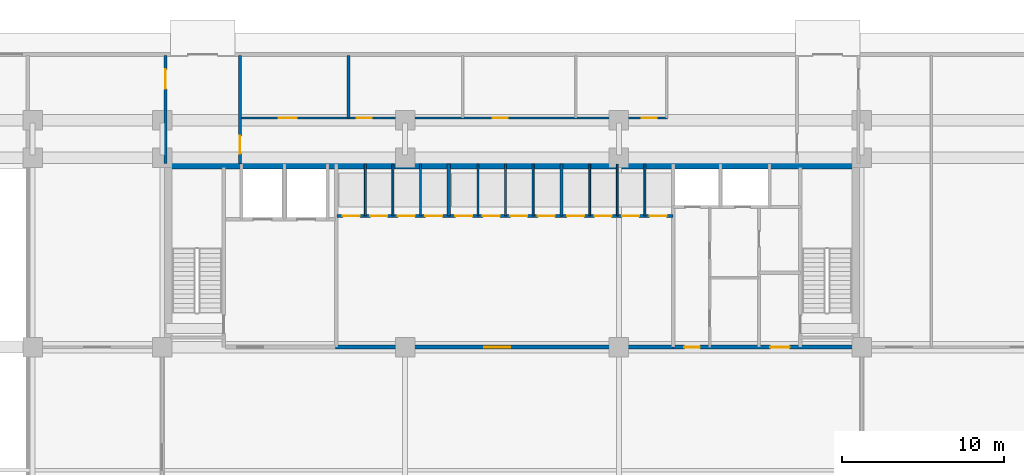
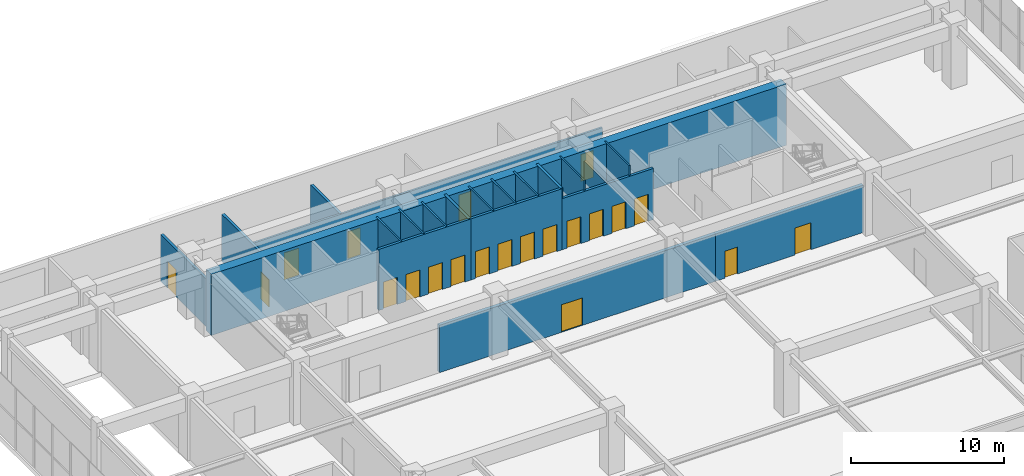
# One storey, part 34 of 40: 21 doors, 21 walls, 21 openings.
"""IFC4 building model written with IfcOpenShell, lengths in metres."""

import ifcopenshell
import ifcopenshell.guid

model = None  # the IFC model being written
_history = None  # IfcOwnerHistory: only IFC2X3 demands one
_inside = {}  # id of a spatial element -> (the spatial element, [elements in it])
_under = {}  # id of a project, library or spatial element -> (it, [spatial elements below it])
_declared = {}  # id of a project -> (the project, [libraries it declares])
_typed = {}  # id of a type object -> (the type object, [elements of that type])
_made_of = {}  # id of a material, layer set ... -> (it, [elements and type objects made of it])


def new_model(schema):
    """Start an empty IFC model of exactly this schema.

    Asked for "IFC4X3", IfcOpenShell would pick the latest addendum, in which some entities
    have other attributes; the version numbers below select the first issue.
    IFC2X3 requires an IfcOwnerHistory on every rooted entity: one is made here for all.
    """
    global model, _history
    if schema == "IFC4X3":
        model = ifcopenshell.file(schema_version=(4, 3, 0, 0))
    else:
        model = ifcopenshell.file(schema=schema)
    _inside.clear()
    _under.clear()
    _declared.clear()
    _typed.clear()
    _made_of.clear()
    _history = None
    if model.schema == "IFC2X3":
        org = make("IfcOrganization", Name="unknown")
        user = make(
            "IfcPersonAndOrganization",
            ThePerson=make("IfcPerson", FamilyName="unknown"),
            TheOrganization=org,
        )
        app = make(
            "IfcApplication",
            ApplicationDeveloper=org,
            Version="unknown",
            ApplicationFullName="unknown",
            ApplicationIdentifier="unknown",
        )
        _history = make(
            "IfcOwnerHistory",
            OwningUser=user,
            OwningApplication=app,
            ChangeAction="ADDED",
            CreationDate=0,
        )
    return model


def make(cls, **values):
    """One entity of the class cls with the attributes given. An attribute that is None is left unset."""
    return model.create_entity(
        cls, **{name: value for name, value in values.items() if value is not None}
    )


def rooted(cls, **values):
    """An entity with a GlobalId (a new one), such as an element, a storey or a relation."""
    return make(cls, GlobalId=ifcopenshell.guid.new(), OwnerHistory=_history, **values)


def si_unit(unit_type, name, prefix=None):
    """IfcSIUnit, for example si_unit("LENGTHUNIT", "METRE", prefix="MILLI")."""
    return make("IfcSIUnit", UnitType=unit_type, Prefix=prefix, Name=name)


def assignment(units):
    """IfcUnitAssignment: the units of a project."""
    return None if units is None else make("IfcUnitAssignment", Units=units)


def point(xyz):
    """IfcCartesianPoint."""
    return None if xyz is None else make("IfcCartesianPoint", Coordinates=xyz)


def direction(xyz):
    """IfcDirection."""
    return None if xyz is None else make("IfcDirection", DirectionRatios=xyz)


def frame(location, z_axis=None, x_axis=None):
    """IfcAxis2Placement3D, a coordinate frame: its origin and axes. An axis left out is left unset."""
    return make(
        "IfcAxis2Placement3D",
        Location=point(location),
        Axis=direction(z_axis),
        RefDirection=direction(x_axis),
    )


def frame_2d(location, x_axis=None):
    """IfcAxis2Placement2D, a coordinate frame in the plane: its origin and x axis."""
    return make(
        "IfcAxis2Placement2D", Location=point(location), RefDirection=direction(x_axis)
    )


def origin():
    """The frame at (0, 0, 0) with its axes left unset."""
    return frame((0.0, 0.0, 0.0))


def place(relative_to, where):
    """IfcLocalPlacement: puts the frame where relative to a parent placement (None: the world)."""
    return make(
        "IfcLocalPlacement", PlacementRelTo=relative_to, RelativePlacement=where
    )


def context(
    kind, dimensions, precision=None, world=None, true_north=None, identifier=None
):
    """IfcGeometricRepresentationContext, for example the 3D "Model" context."""
    return make(
        "IfcGeometricRepresentationContext",
        ContextIdentifier=identifier,
        ContextType=kind,
        CoordinateSpaceDimension=dimensions,
        Precision=precision,
        WorldCoordinateSystem=world,
        TrueNorth=true_north,
    )


def subcontext(parent, identifier, kind, view, scale=None):
    """IfcGeometricRepresentationSubContext, for example "Body" below "Model"."""
    return make(
        "IfcGeometricRepresentationSubContext",
        ContextIdentifier=identifier,
        ContextType=kind,
        ParentContext=parent,
        TargetScale=scale,
        TargetView=view,
    )


def project(units=None, contexts=None):
    """IfcProject with its units and contexts."""
    return rooted(
        "IfcProject",
        Name="project",
        RepresentationContexts=contexts,
        UnitsInContext=assignment(units),
    )


def spatial(cls, under=None, at=None, **own):
    """A site, building, storey or space (cls), placed at a placement, below another one or the project."""
    s = rooted(cls, ObjectPlacement=at, **own)
    if under is not None:
        _under.setdefault(under.id(), (under, []))[1].append(s)
    return s


def profile(cls, at=None, kind="AREA", **sizes):
    """A parametric profile (cls). Its sizes go by their IFC names, for example OverallWidth=200.0."""
    return make(cls, ProfileType=kind, Position=at, **sizes)


def rectangle(**sizes):
    """IfcRectangleProfileDef."""
    return profile("IfcRectangleProfileDef", **sizes)


def extrude(swept, where, along, depth):
    """IfcExtrudedAreaSolid: the profile swept, set in the frame where, extruded along a direction by depth."""
    return make(
        "IfcExtrudedAreaSolid",
        SweptArea=swept,
        Position=where,
        ExtrudedDirection=direction(along),
        Depth=depth,
    )


def shape(context_of_items, identifier, shape_type, items):
    """IfcShapeRepresentation: the items that make up one representation, for example the "Body"."""
    return make(
        "IfcShapeRepresentation",
        ContextOfItems=context_of_items,
        RepresentationIdentifier=identifier,
        RepresentationType=shape_type,
        Items=items,
    )


def source(mapping_origin, context_of_items, identifier, shape_type, items):
    """IfcRepresentationMap: a shape defined once, which mapped items show again and again."""
    return make(
        "IfcRepresentationMap",
        MappingOrigin=mapping_origin,
        MappedRepresentation=shape(context_of_items, identifier, shape_type, items),
    )


def transform(
    local_origin,
    x_axis=None,
    y_axis=None,
    z_axis=None,
    scale=None,
    scale2=None,
    scale3=None,
    uniform=True,
):
    """IfcCartesianTransformationOperator3D, or its non-uniform kind. x_axis, y_axis, z_axis: its Axis1, 2, 3."""
    if uniform:
        return make(
            "IfcCartesianTransformationOperator3D",
            Axis1=direction(x_axis),
            Axis2=direction(y_axis),
            LocalOrigin=point(local_origin),
            Scale=scale,
            Axis3=direction(z_axis),
        )
    return make(
        "IfcCartesianTransformationOperator3DnonUniform",
        Axis1=direction(x_axis),
        Axis2=direction(y_axis),
        LocalOrigin=point(local_origin),
        Scale=scale,
        Axis3=direction(z_axis),
        Scale2=scale2,
        Scale3=scale3,
    )


def mapped(mapping_source, mapping_target):
    """IfcMappedItem: shows the shape of a source again, moved by a transform."""
    return make(
        "IfcMappedItem", MappingSource=mapping_source, MappingTarget=mapping_target
    )


def material(Name=None, Category=None):
    """IfcMaterial."""
    return make("IfcMaterial", Name=Name, Category=Category)


def layer(
    of_material, thickness, ventilated=None, Name=None, Category=None, Priority=None
):
    """IfcMaterialLayer: one layer of a wall or slab, of a material (None: an air gap)."""
    return make(
        "IfcMaterialLayer",
        Material=of_material,
        LayerThickness=thickness,
        IsVentilated=ventilated,
        Name=Name,
        Category=Category,
        Priority=Priority,
    )


def layer_set(layers, Name=None):
    """IfcMaterialLayerSet."""
    return make("IfcMaterialLayerSet", MaterialLayers=layers, LayerSetName=Name)


def made_of(thing, what):
    """Note that an element or type object is made of a material, layer set ...; save() writes the relation."""
    if what is not None:
        _made_of.setdefault(what.id(), (what, []))[1].append(thing)
    return thing


def type_object(cls, material=None, **own):
    """A type object (cls), such as IfcWallType, which elements share."""
    return made_of(rooted(cls, **own), material)


def element(
    cls,
    number,
    at=None,
    inside=None,
    cuts=None,
    type_object=None,
    material=None,
    context=None,
    identifier="Body",
    shape_type=None,
    held_by="IfcProductDefinitionShape",
    body=None,
    shapes=None,
    **own,
):
    """One element of the class cls, such as IfcWall. Its Tag is "e" and its number.

    at: its placement. inside: the storey or other place that contains it. cuts: it is an
    opening in that element (IfcRelVoidsElement). A single representation is given by context,
    identifier, shape_type and body (its items); several are given by shapes. held_by: the class
    of the entity that holds the representations. save() writes the other relations.
    """
    e = rooted(cls, Tag="e%d" % number, ObjectPlacement=at, **own)
    if body is not None:
        shapes = [shape(context, identifier, shape_type, body)]
    if shapes is not None:
        e.Representation = make(held_by, Representations=shapes)
    if inside is not None:
        _inside.setdefault(inside.id(), (inside, []))[1].append(e)
    if cuts is not None:
        rooted(
            "IfcRelVoidsElement", RelatingBuildingElement=cuts, RelatedOpeningElement=e
        )
    if type_object is not None:
        _typed.setdefault(type_object.id(), (type_object, []))[1].append(e)
    return made_of(e, material)


def fill(opening, filler):
    """IfcRelFillsElement: the door or window that sits in an opening."""
    return rooted(
        "IfcRelFillsElement",
        RelatingOpeningElement=opening,
        RelatedBuildingElement=filler,
    )


def aggregate(whole, parts):
    """IfcRelAggregates: a whole, such as a stair, and the parts it consists of."""
    return rooted("IfcRelAggregates", RelatingObject=whole, RelatedObjects=parts)


def save(model, path):
    """Write the relations noted so far, then the file.

    IfcRelAggregates (storeys below a building ...), IfcRelContainedInSpatialStructure (elements
    in a storey), IfcRelDefinesByType, IfcRelAssociatesMaterial and IfcRelDeclares: one each for
    every whole, place, type object, material and project.
    """
    for whole, parts in _under.values():
        aggregate(whole, parts)
    for where, things in _inside.values():
        rooted(
            "IfcRelContainedInSpatialStructure",
            RelatedElements=things,
            RelatingStructure=where,
        )
    for kind, things in _typed.values():
        rooted("IfcRelDefinesByType", RelatedObjects=things, RelatingType=kind)
    for what, things in _made_of.values():
        rooted("IfcRelAssociatesMaterial", RelatedObjects=things, RelatingMaterial=what)
    for by, libraries in _declared.values():
        rooted("IfcRelDeclares", RelatingContext=by, RelatedDefinitions=libraries)
    model.write(path)


model = new_model("IFC4")

# Units and contexts
model_context = context("Model", 3, precision=1e-05, world=origin(), true_north=direction((0.0, 1.0)))
body_context = subcontext(model_context, "Body", "Model", "MODEL_VIEW")
ifc_project = project(units=[si_unit("LENGTHUNIT", "METRE"), si_unit("AREAUNIT", "SQUARE_METRE"), si_unit("VOLUMEUNIT", "CUBIC_METRE"), si_unit("PLANEANGLEUNIT", "RADIAN"), si_unit("MASSUNIT", "GRAM", prefix="KILO")], contexts=[model_context])

# Site, building, storey
site_placement = place(None, origin())
site = spatial("IfcSite", under=ifc_project, at=site_placement, CompositionType="ELEMENT")
building_placement = place(site_placement, origin())
building = spatial("IfcBuilding", under=site, at=building_placement, Name="Trelvane Seafront Commons", CompositionType="ELEMENT")
storey_placement = place(building_placement, origin())
storey = spatial("IfcBuildingStorey", under=building, at=storey_placement, Name="L00", CompositionType="ELEMENT", Elevation=0.0)

# Wall, opening, door
ifc_material_1 = material(Name="Concrete C40/50", Category="concrete")
ifc_layer_1 = layer(ifc_material_1, 0.199951171875, Name="ARCH-WALL-FIRE200")
ifc_layer_set_1 = layer_set([ifc_layer_1], Name="Concrete C40/50")
wall_type_1 = type_object("IfcWallType", Name="ARCH-WALL-FIRE200", PredefinedType="PARTITIONING", material=ifc_layer_set_1)
wall_1_placement = place(storey_placement, frame((15.800048828125, 44.75, 0.0), z_axis=(0.0, 0.0, 1.0), x_axis=(0.0, 1.0, 0.0)))
wall_1 = element("IfcWall", 1, at=wall_1_placement, inside=storey, type_object=wall_type_1, Name="W-L00-EPW-W-050", PredefinedType="PARTITIONING", context=body_context, shape_type="SweptSolid", body=[
    extrude(rectangle(XDim=6.64990234375, YDim=0.199951171875, at=frame_2d((3.324951171875, 0.0))), origin(), (0.0, 0.0, 1.0), 3.780029296875),
])
opening_1_placement = place(wall_1_placement, frame((4.60009765625, 0.0, 0.0)))
opening_1 = element("IfcOpeningElement", 2, at=opening_1_placement, cuts=wall_1, Name="Opening FD-L00-29", PredefinedType="OPENING", context=body_context, shape_type="SweptSolid", body=[
    extrude(rectangle(XDim=1.199951171875, YDim=2.14990234375, at=frame_2d((0.60009765625, 1.074951171875))), frame((0.0, 0.10986328125, 0.0), z_axis=(0.0, -1.0, 0.0), x_axis=(1.0, 0.0, 0.0)), (0.0, 0.0, 1.0), 0.219970703125),
])
ifc_material_2 = material(Name="Powder-coated aluminium frame", Category="aluminium")
door_type_1 = type_object("IfcDoorType", Name="ARCH-DR-FD60-1200", OperationType="NOTDEFINED", PredefinedType="DOOR", material=ifc_material_2)
shared_shape_1 = source(origin(), body_context, "Body", "SweptSolid", [
    extrude(rectangle(XDim=1.199951171875, YDim=2.14990234375, at=frame_2d((0.60009765625, 1.074951171875))), frame((0.0, 0.02490234375, 0.0), z_axis=(0.0, -1.0, 0.0), x_axis=(1.0, 0.0, 0.0)), (0.0, 0.0, 1.0), 0.050048828125),
])
door_1_placement = place(opening_1_placement, origin())
door_1 = element("IfcDoor", 3, at=door_1_placement, inside=storey, type_object=door_type_1, Name="L00 Door 29", OperationType="SINGLE_SWING_LEFT", OverallHeight=2.14990234375, OverallWidth=1.199951171875, PredefinedType="DOOR", context=body_context, shape_type="MappedRepresentation", body=[
    mapped(shared_shape_1, transform((0.0, 0.0, 0.0), x_axis=(1.0, 0.0, 0.0), y_axis=(0.0, 1.0, 0.0), z_axis=(0.0, 0.0, 1.0), scale=1.0)),
])
fill(opening_1, door_1)

wall_2_placement = place(storey_placement, frame((20.39990234375, 44.75, 0.0), z_axis=(0.0, 0.0, 1.0), x_axis=(0.0, 1.0, 0.0)))
wall_2 = element("IfcWall", 4, at=wall_2_placement, inside=storey, type_object=wall_type_1, Name="W-L00-EPW-E-051", PredefinedType="PARTITIONING", context=body_context, shape_type="SweptSolid", body=[
    extrude(rectangle(XDim=6.64990234375, YDim=0.199951171875, at=frame_2d((3.324951171875, 0.0))), origin(), (0.0, 0.0, 1.0), 3.780029296875),
])
opening_2_placement = place(wall_2_placement, frame((0.60009765625, 0.0, 0.0)))
opening_2 = element("IfcOpeningElement", 5, at=opening_2_placement, cuts=wall_2, Name="Opening FD-L00-30", PredefinedType="OPENING", context=body_context, shape_type="SweptSolid", body=[
    extrude(rectangle(XDim=1.10009765625, YDim=2.14990234375, at=frame_2d((0.550048828125, 1.074951171875))), frame((0.0, 0.10986328125, 0.0), z_axis=(0.0, -1.0, 0.0), x_axis=(1.0, 0.0, 0.0)), (0.0, 0.0, 1.0), 0.219970703125),
])
door_type_2 = type_object("IfcDoorType", Name="ARCH-DR-FD60-1100", OperationType="NOTDEFINED", PredefinedType="DOOR", material=ifc_material_2)
shared_shape_2 = source(origin(), body_context, "Body", "SweptSolid", [
    extrude(rectangle(XDim=1.10009765625, YDim=2.14990234375, at=frame_2d((0.550048828125, 1.074951171875))), frame((0.0, 0.02490234375, 0.0), z_axis=(0.0, -1.0, 0.0), x_axis=(1.0, 0.0, 0.0)), (0.0, 0.0, 1.0), 0.050048828125),
])
door_2_placement = place(opening_2_placement, origin())
door_2 = element("IfcDoor", 6, at=door_2_placement, inside=storey, type_object=door_type_2, Name="L00 Door 30", OperationType="SINGLE_SWING_RIGHT", OverallHeight=2.14990234375, OverallWidth=1.10009765625, PredefinedType="DOOR", context=body_context, shape_type="MappedRepresentation", body=[
    mapped(shared_shape_2, transform((0.0, 0.0, 0.0), x_axis=(1.0, 0.0, 0.0), y_axis=(0.0, 1.0, 0.0), z_axis=(0.0, 0.0, 1.0), scale=1.0)),
])
fill(opening_2, door_2)

# Wall
wall_3_placement = place(storey_placement, frame((27.10009765625, 47.550048828125, 0.0), z_axis=(0.0, 0.0, 1.0), x_axis=(0.0, 1.0, 0.0)))
element("IfcWall", 7, at=wall_3_placement, inside=storey, type_object=wall_type_1, Name="W-L00-FCC-E-052", PredefinedType="PARTITIONING", context=body_context, shape_type="SweptSolid", body=[
    extrude(rectangle(XDim=3.849853515625, YDim=0.199951171875, at=frame_2d((1.9248046875, 0.0))), origin(), (0.0, 0.0, 1.0), 3.780029296875),
])

# Wall, opening, door
ifc_layer_2 = layer(ifc_material_1, 0.25, Name="ARCH-WALL-FIRE250")
ifc_layer_set_2 = layer_set([ifc_layer_2], Name="Concrete C40/50")
wall_type_2 = type_object("IfcWallType", Name="ARCH-WALL-FIRE250", PredefinedType="PARTITIONING", material=ifc_layer_set_2)
wall_4_placement = place(storey_placement, frame((26.300048828125, 33.39990234375, 0.0), z_axis=(0.0, 0.0, 1.0), x_axis=(1.0, 0.0, 0.0)))
wall_4 = element("IfcWall", 8, at=wall_4_placement, inside=storey, type_object=wall_type_2, Name="W-L00-CS-PAX-037", PredefinedType="PARTITIONING", context=body_context, shape_type="SweptSolid", body=[
    extrude(rectangle(XDim=20.849853515625, YDim=0.25, at=frame_2d((10.4248046875, 0.0))), origin(), (0.0, 0.0, 1.0), 3.780029296875),
])
opening_3_placement = place(wall_4_placement, frame((9.199951171875, 0.0, 0.0)))
opening_3 = element("IfcOpeningElement", 9, at=opening_3_placement, cuts=wall_4, Name="Opening FD-L00-20", PredefinedType="OPENING", context=body_context, shape_type="SweptSolid", body=[
    extrude(rectangle(XDim=1.60009765625, YDim=2.199951171875, at=frame_2d((0.800048828125, 1.10009765625))), frame((0.0, 0.135009765625, 0.0), z_axis=(0.0, -1.0, 0.0), x_axis=(1.0, 0.0, 0.0)), (0.0, 0.0, 1.0), 0.27001953125),
])
door_type_3 = type_object("IfcDoorType", Name="ARCH-DR-FD60-1600", OperationType="DOUBLE_DOOR_SINGLE_SWING", PredefinedType="DOOR", material=ifc_material_2)
shared_shape_3 = source(origin(), body_context, "Body", "SweptSolid", [
    extrude(rectangle(XDim=1.60009765625, YDim=2.199951171875, at=frame_2d((0.800048828125, 1.10009765625))), frame((0.0, 0.02490234375, 0.0), z_axis=(0.0, -1.0, 0.0), x_axis=(1.0, 0.0, 0.0)), (0.0, 0.0, 1.0), 0.050048828125),
])
door_3_placement = place(opening_3_placement, origin())
door_3 = element("IfcDoor", 10, at=door_3_placement, inside=storey, type_object=door_type_3, Name="L00 Passenger Lift Lobby Double Door", OperationType="DOUBLE_DOOR_SINGLE_SWING", OverallHeight=2.199951171875, OverallWidth=1.60009765625, PredefinedType="DOOR", context=body_context, shape_type="MappedRepresentation", body=[
    mapped(shared_shape_3, transform((0.0, 0.0, 0.0), x_axis=(1.0, 0.0, 0.0), y_axis=(0.0, 1.0, 0.0), z_axis=(0.0, 0.0, 1.0), scale=1.0)),
])
fill(opening_3, door_3)

# Wall, openings, doors
wall_5_placement = place(storey_placement, frame((47.14990234375, 33.39990234375, 0.0), z_axis=(0.0, 0.0, 1.0), x_axis=(1.0, 0.0, 0.0)))
wall_5 = element("IfcWall", 11, at=wall_5_placement, inside=storey, type_object=wall_type_2, Name="W-L00-CS-EAST-045", PredefinedType="PARTITIONING", context=body_context, shape_type="SweptSolid", body=[
    extrude(rectangle(XDim=11.150146484375, YDim=0.25, at=frame_2d((5.5751953125, 0.0))), origin(), (0.0, 0.0, 1.0), 3.780029296875),
])
opening_4_placement = place(wall_5_placement, frame((0.699951171875, 0.0, 0.0)))
opening_4 = element("IfcOpeningElement", 12, at=opening_4_placement, cuts=wall_5, Name="Opening FD-L00-26", PredefinedType="OPENING", context=body_context, shape_type="SweptSolid", body=[
    extrude(rectangle(XDim=0.949951171875, YDim=2.14990234375, at=frame_2d((0.47509765625, 1.074951171875))), frame((0.0, 0.135009765625, 0.0), z_axis=(0.0, -1.0, 0.0), x_axis=(1.0, 0.0, 0.0)), (0.0, 0.0, 1.0), 0.27001953125),
])
opening_5_placement = place(wall_5_placement, frame((6.0, 0.0, 0.0)))
opening_5 = element("IfcOpeningElement", 13, at=opening_5_placement, cuts=wall_5, Name="Opening FD-L00-27", PredefinedType="OPENING", context=body_context, shape_type="SweptSolid", body=[
    extrude(rectangle(XDim=1.199951171875, YDim=2.14990234375, at=frame_2d((0.60009765625, 1.074951171875))), frame((0.0, 0.135009765625, 0.0), z_axis=(0.0, -1.0, 0.0), x_axis=(1.0, 0.0, 0.0)), (0.0, 0.0, 1.0), 0.27001953125),
])
door_type_4 = type_object("IfcDoorType", Name="ARCH-DR-FD60-950", OperationType="NOTDEFINED", PredefinedType="DOOR", material=ifc_material_2)
shared_shape_4 = source(origin(), body_context, "Body", "SweptSolid", [
    extrude(rectangle(XDim=0.949951171875, YDim=2.14990234375, at=frame_2d((0.47509765625, 1.074951171875))), frame((0.0, 0.02490234375, 0.0), z_axis=(0.0, -1.0, 0.0), x_axis=(1.0, 0.0, 0.0)), (0.0, 0.0, 1.0), 0.050048828125),
])
door_4_placement = place(opening_4_placement, origin())
door_4 = element("IfcDoor", 14, at=door_4_placement, inside=storey, type_object=door_type_4, Name="L00 Core Service Lobby Door", OperationType="SINGLE_SWING_RIGHT", OverallHeight=2.14990234375, OverallWidth=0.949951171875, PredefinedType="DOOR", context=body_context, shape_type="MappedRepresentation", body=[
    mapped(shared_shape_4, transform((0.0, 0.0, 0.0), x_axis=(1.0, 0.0, 0.0), y_axis=(0.0, 1.0, 0.0), z_axis=(0.0, 0.0, 1.0), scale=1.0)),
])
fill(opening_4, door_4)
door_5_placement = place(opening_5_placement, origin())
door_5 = element("IfcDoor", 15, at=door_5_placement, inside=storey, type_object=door_type_1, Name="L00 East Stair Vestibule Fire Door", OperationType="SINGLE_SWING_LEFT", OverallHeight=2.14990234375, OverallWidth=1.199951171875, PredefinedType="DOOR", context=body_context, shape_type="MappedRepresentation", body=[
    mapped(shared_shape_1, transform((0.0, 0.0, 0.0), x_axis=(1.0, 0.0, 0.0), y_axis=(0.0, 1.0, 0.0), z_axis=(0.0, 0.0, 1.0), scale=1.0)),
])
fill(opening_5, door_5)

# Walls
ifc_material_3 = material(Name="Gypsum Drywall Acoustic Partition")
ifc_layer_3 = layer(ifc_material_3, 0.1201171875, Name="ARCH-WALL-PART120")
ifc_layer_set_3 = layer_set([ifc_layer_3], Name="Gypsum Drywall Acoustic Partition")
wall_type_3 = type_object("IfcWallType", Name="ARCH-WALL-PART120", PredefinedType="PARTITIONING", material=ifc_layer_set_3)
for number, where, z_axis, x_axis, name in (
    (16, (28.14990234375, 41.5, 0.0), (0.0, 0.0, 1.0), (0.0, 1.0, 0.0), "W-L00-PL-DIV1-024"),
    (17, (29.85009765625, 41.5, 0.0), (0.0, 0.0, 1.0), (0.0, 1.0, 0.0), "W-L00-PL-DIV2-025"),
    (18, (31.550048828125, 41.5, 0.0), (0.0, 0.0, 1.0), (0.0, 1.0, 0.0), "W-L00-PL-DIV3-026"),
    (19, (35.10009765625, 41.5, 0.0), (0.0, 0.0, 1.0), (0.0, 1.0, 0.0), "W-L00-PM-DIV1-028"),
    (20, (36.800048828125, 41.5, 0.0), (0.0, 0.0, 1.0), (0.0, 1.0, 0.0), "W-L00-PM-DIV2-029"),
    (21, (38.5, 41.5, 0.0), (0.0, 0.0, 1.0), (0.0, 1.0, 0.0), "W-L00-PM-DIV3-030"),
    (22, (42.0, 41.5, 0.0), (0.0, 0.0, 1.0), (0.0, 1.0, 0.0), "W-L00-PH-DIV1-033"),
):
    element("IfcWall", number, at=place(storey_placement, frame(where, z_axis=z_axis, x_axis=x_axis)), inside=storey, type_object=wall_type_3, Name=name, PredefinedType="PARTITIONING", context=body_context, shape_type="SweptSolid", body=[
        extrude(rectangle(XDim=3.199951171875, YDim=0.1201171875, at=frame_2d((1.60009765625, 0.0))), origin(), (0.0, 0.0, 1.0), 4.8798828125),
    ])
wall_6_placement = place(storey_placement, frame((43.699951171875, 41.5, 0.0), z_axis=(0.0, 0.0, 1.0), x_axis=(0.0, 1.0, 0.0)))
element("IfcWall", 23, at=wall_6_placement, inside=storey, type_object=wall_type_3, Name="W-L00-PH-DIV2-034", PredefinedType="PARTITIONING", context=body_context, shape_type="SweptSolid", body=[
    extrude(rectangle(XDim=3.199951171875, YDim=0.1201171875, at=frame_2d((1.60009765625, 0.0))), origin(), (0.0, 0.0, 1.0), 4.080078125),
])
wall_7_placement = place(storey_placement, frame((45.39990234375, 41.5, 0.0), z_axis=(0.0, 0.0, 1.0), x_axis=(0.0, 1.0, 0.0)))
element("IfcWall", 24, at=wall_7_placement, inside=storey, type_object=wall_type_3, Name="W-L00-PH-DIV3-035", PredefinedType="PARTITIONING", context=body_context, shape_type="SweptSolid", body=[
    extrude(rectangle(XDim=3.199951171875, YDim=0.1201171875, at=frame_2d((1.60009765625, 0.0))), origin(), (0.0, 0.0, 1.0), 4.8798828125),
])

# Wall, openings, doors
ifc_layer_4 = layer(ifc_material_3, 0.14990234375, Name="ARCH-WALL-PART150")
ifc_layer_set_4 = layer_set([ifc_layer_4], Name="Gypsum Drywall Acoustic Partition")
wall_type_4 = type_object("IfcWallType", Name="ARCH-WALL-PART150", PredefinedType="PARTITIONING", material=ifc_layer_set_4)
wall_8_placement = place(storey_placement, frame((20.39990234375, 47.550048828125, 0.0), z_axis=(0.0, 0.0, 1.0), x_axis=(1.0, 0.0, 0.0)))
wall_8 = element("IfcWall", 25, at=wall_8_placement, inside=storey, type_object=wall_type_4, Name="W-L00-NWC-S-053", PredefinedType="PARTITIONING", context=body_context, shape_type="SweptSolid", body=[
    extrude(rectangle(XDim=26.400146484375, YDim=0.14990234375, at=frame_2d((13.2001953125, 0.0))), origin(), (0.0, 0.0, 1.0), 3.780029296875),
])
opening_6_placement = place(wall_8_placement, frame((2.39990234375, 0.0, 0.0)))
opening_6 = element("IfcOpeningElement", 26, at=opening_6_placement, cuts=wall_8, Name="Opening FD-L00-31", PredefinedType="OPENING", context=body_context, shape_type="SweptSolid", body=[
    extrude(rectangle(XDim=1.10009765625, YDim=2.14990234375, at=frame_2d((0.550048828125, 1.074951171875))), frame((0.0, 0.0849609375, 0.0), z_axis=(0.0, -1.0, 0.0), x_axis=(1.0, 0.0, 0.0)), (0.0, 0.0, 1.0), 0.169921875),
])
opening_7_placement = place(wall_8_placement, frame((7.199951171875, 0.0, 0.0)))
opening_7 = element("IfcOpeningElement", 27, at=opening_7_placement, cuts=wall_8, Name="Opening D-L00-32", PredefinedType="OPENING", context=body_context, shape_type="SweptSolid", body=[
    extrude(rectangle(XDim=0.949951171875, YDim=2.14990234375, at=frame_2d((0.47509765625, 1.074951171875))), frame((0.0, 0.0849609375, 0.0), z_axis=(0.0, -1.0, 0.0), x_axis=(1.0, 0.0, 0.0)), (0.0, 0.0, 1.0), 0.169921875),
])
opening_8_placement = place(wall_8_placement, frame((15.60009765625, 0.0, 0.0)))
opening_8 = element("IfcOpeningElement", 28, at=opening_8_placement, cuts=wall_8, Name="Opening D-L00-33", PredefinedType="OPENING", context=body_context, shape_type="SweptSolid", body=[
    extrude(rectangle(XDim=0.949951171875, YDim=2.14990234375, at=frame_2d((0.47509765625, 1.074951171875))), frame((0.0, 0.0849609375, 0.0), z_axis=(0.0, -1.0, 0.0), x_axis=(1.0, 0.0, 0.0)), (0.0, 0.0, 1.0), 0.169921875),
])
opening_9_placement = place(wall_8_placement, frame((24.800048828125, 0.0, 0.0)))
opening_9 = element("IfcOpeningElement", 29, at=opening_9_placement, cuts=wall_8, Name="Opening D-L00-34", PredefinedType="OPENING", context=body_context, shape_type="SweptSolid", body=[
    extrude(rectangle(XDim=0.949951171875, YDim=2.14990234375, at=frame_2d((0.47509765625, 1.074951171875))), frame((0.0, 0.0849609375, 0.0), z_axis=(0.0, -1.0, 0.0), x_axis=(1.0, 0.0, 0.0)), (0.0, 0.0, 1.0), 0.169921875),
])
door_6_placement = place(opening_6_placement, origin())
door_6 = element("IfcDoor", 30, at=door_6_placement, inside=storey, type_object=door_type_2, Name="L00 Fire Command Room Door", OperationType="SINGLE_SWING_LEFT", OverallHeight=2.14990234375, OverallWidth=1.10009765625, PredefinedType="DOOR", context=body_context, shape_type="MappedRepresentation", body=[
    mapped(shared_shape_2, transform((0.0, 0.0, 0.0), x_axis=(1.0, 0.0, 0.0), y_axis=(0.0, 1.0, 0.0), z_axis=(0.0, 0.0, 1.0), scale=1.0)),
])
fill(opening_6, door_6)
ifc_material_4 = material(Name="Acoustic timber door leaf", Category="wood")
door_type_5 = type_object("IfcDoorType", Name="ARCH-DR-INT950", OperationType="NOTDEFINED", PredefinedType="DOOR", material=ifc_material_4)
door_7_placement = place(opening_7_placement, origin())
door_7 = element("IfcDoor", 31, at=door_7_placement, inside=storey, type_object=door_type_5, Name="L00 Public Male WC Door", OperationType="SINGLE_SWING_RIGHT", OverallHeight=2.14990234375, OverallWidth=0.949951171875, PredefinedType="DOOR", context=body_context, shape_type="MappedRepresentation", body=[
    mapped(shared_shape_4, transform((0.0, 0.0, 0.0), x_axis=(1.0, 0.0, 0.0), y_axis=(0.0, 1.0, 0.0), z_axis=(0.0, 0.0, 1.0), scale=1.0)),
])
fill(opening_7, door_7)
door_8_placement = place(opening_8_placement, origin())
door_8 = element("IfcDoor", 32, at=door_8_placement, inside=storey, type_object=door_type_5, Name="L00 Public Female WC Door", OperationType="SINGLE_SWING_LEFT", OverallHeight=2.14990234375, OverallWidth=0.949951171875, PredefinedType="DOOR", context=body_context, shape_type="MappedRepresentation", body=[
    mapped(shared_shape_4, transform((0.0, 0.0, 0.0), x_axis=(1.0, 0.0, 0.0), y_axis=(0.0, 1.0, 0.0), z_axis=(0.0, 0.0, 1.0), scale=1.0)),
])
fill(opening_8, door_8)
door_9_placement = place(opening_9_placement, origin())
door_9 = element("IfcDoor", 33, at=door_9_placement, inside=storey, type_object=door_type_5, Name="L00 Public Accessible WC Door", OperationType="SINGLE_SWING_RIGHT", OverallHeight=2.14990234375, OverallWidth=0.949951171875, PredefinedType="DOOR", context=body_context, shape_type="MappedRepresentation", body=[
    mapped(shared_shape_4, transform((0.0, 0.0, 0.0), x_axis=(1.0, 0.0, 0.0), y_axis=(0.0, 1.0, 0.0), z_axis=(0.0, 0.0, 1.0), scale=1.0)),
])
fill(opening_9, door_9)

ifc_layer_5 = layer(ifc_material_1, 0.199951171875, Name="ARCH-WALL-SHAFT200")
ifc_layer_set_5 = layer_set([ifc_layer_5], Name="Concrete C40/50")
wall_type_5 = type_object("IfcWallType", Name="ARCH-WALL-SHAFT200", PredefinedType="SOLIDWALL", material=ifc_layer_set_5)
wall_9_placement = place(storey_placement, frame((26.39990234375, 41.5, 0.0), z_axis=(0.0, 0.0, 1.0), x_axis=(1.0, 0.0, 0.0)))
wall_9 = element("IfcWall", 34, at=wall_9_placement, inside=storey, type_object=wall_type_5, Name="W-L00-PL-FRONT-022", PredefinedType="SOLIDWALL", context=body_context, shape_type="SweptSolid", body=[
    extrude(rectangle(XDim=6.9501953125, YDim=0.199951171875, at=frame_2d((3.47509765625, 0.0))), origin(), (0.0, 0.0, 1.0), 4.8798828125),
])
opening_10_placement = place(wall_9_placement, frame((0.35009765625, 0.0, 0.0)))
opening_10 = element("IfcOpeningElement", 35, at=opening_10_placement, cuts=wall_9, Name="Opening LD-PL1-L00", PredefinedType="OPENING", context=body_context, shape_type="SweptSolid", body=[
    extrude(rectangle(XDim=1.050048828125, YDim=2.14990234375, at=frame_2d((0.52490234375, 1.074951171875))), frame((0.0, 0.10986328125, 0.0), z_axis=(0.0, -1.0, 0.0), x_axis=(1.0, 0.0, 0.0)), (0.0, 0.0, 1.0), 0.219970703125),
])
opening_11_placement = place(wall_9_placement, frame((2.050048828125, 0.0, 0.0)))
opening_11 = element("IfcOpeningElement", 36, at=opening_11_placement, cuts=wall_9, Name="Opening LD-PL2-L00", PredefinedType="OPENING", context=body_context, shape_type="SweptSolid", body=[
    extrude(rectangle(XDim=1.050048828125, YDim=2.14990234375, at=frame_2d((0.52490234375, 1.074951171875))), frame((0.0, 0.10986328125, 0.0), z_axis=(0.0, -1.0, 0.0), x_axis=(1.0, 0.0, 0.0)), (0.0, 0.0, 1.0), 0.219970703125),
])
opening_12_placement = place(wall_9_placement, frame((3.75, 0.0, 0.0)))
opening_12 = element("IfcOpeningElement", 37, at=opening_12_placement, cuts=wall_9, Name="Opening LD-PL3-L00", PredefinedType="OPENING", context=body_context, shape_type="SweptSolid", body=[
    extrude(rectangle(XDim=1.050048828125, YDim=2.14990234375, at=frame_2d((0.52490234375, 1.074951171875))), frame((0.0, 0.10986328125, 0.0), z_axis=(0.0, -1.0, 0.0), x_axis=(1.0, 0.0, 0.0)), (0.0, 0.0, 1.0), 0.219970703125),
])
opening_13_placement = place(wall_9_placement, frame((5.449951171875, 0.0, 0.0)))
opening_13 = element("IfcOpeningElement", 38, at=opening_13_placement, cuts=wall_9, Name="Opening LD-PL4-L00", PredefinedType="OPENING", context=body_context, shape_type="SweptSolid", body=[
    extrude(rectangle(XDim=1.050048828125, YDim=2.14990234375, at=frame_2d((0.52490234375, 1.074951171875))), frame((0.0, 0.10986328125, 0.0), z_axis=(0.0, -1.0, 0.0), x_axis=(1.0, 0.0, 0.0)), (0.0, 0.0, 1.0), 0.219970703125),
])
ifc_material_5 = material(Name="Stainless steel balustrade", Category="steel")
door_type_6 = type_object("IfcDoorType", Name="ARCH-DR-LD1050", OperationType="DOUBLE_DOOR_SLIDING", PredefinedType="DOOR", material=ifc_material_5)
shared_shape_5 = source(origin(), body_context, "Body", "SweptSolid", [
    extrude(rectangle(XDim=1.050048828125, YDim=2.14990234375, at=frame_2d((0.52490234375, 1.074951171875))), frame((0.0, 0.02490234375, 0.0), z_axis=(0.0, -1.0, 0.0), x_axis=(1.0, 0.0, 0.0)), (0.0, 0.0, 1.0), 0.050048828125),
])
door_10_placement = place(opening_10_placement, origin())
door_10 = element("IfcDoor", 39, at=door_10_placement, inside=storey, type_object=door_type_6, Name="L00 Passenger Lift PL-1 Landing Door", OperationType="DOUBLE_DOOR_SLIDING", OverallHeight=2.14990234375, OverallWidth=1.050048828125, PredefinedType="DOOR", context=body_context, shape_type="MappedRepresentation", body=[
    mapped(shared_shape_5, transform((0.0, 0.0, 0.0), x_axis=(1.0, 0.0, 0.0), y_axis=(0.0, 1.0, 0.0), z_axis=(0.0, 0.0, 1.0), scale=1.0)),
])
fill(opening_10, door_10)
door_11_placement = place(opening_11_placement, origin())
door_11 = element("IfcDoor", 40, at=door_11_placement, inside=storey, type_object=door_type_6, Name="L00 Passenger Lift PL-2 Landing Door", OperationType="DOUBLE_DOOR_SLIDING", OverallHeight=2.14990234375, OverallWidth=1.050048828125, PredefinedType="DOOR", context=body_context, shape_type="MappedRepresentation", body=[
    mapped(shared_shape_5, transform((0.0, 0.0, 0.0), x_axis=(1.0, 0.0, 0.0), y_axis=(0.0, 1.0, 0.0), z_axis=(0.0, 0.0, 1.0), scale=1.0)),
])
fill(opening_11, door_11)
door_12_placement = place(opening_12_placement, origin())
door_12 = element("IfcDoor", 41, at=door_12_placement, inside=storey, type_object=door_type_6, Name="L00 Passenger Lift PL-3 Landing Door", OperationType="DOUBLE_DOOR_SLIDING", OverallHeight=2.14990234375, OverallWidth=1.050048828125, PredefinedType="DOOR", context=body_context, shape_type="MappedRepresentation", body=[
    mapped(shared_shape_5, transform((0.0, 0.0, 0.0), x_axis=(1.0, 0.0, 0.0), y_axis=(0.0, 1.0, 0.0), z_axis=(0.0, 0.0, 1.0), scale=1.0)),
])
fill(opening_12, door_12)
door_13_placement = place(opening_13_placement, origin())
door_13 = element("IfcDoor", 42, at=door_13_placement, inside=storey, type_object=door_type_6, Name="L00 Passenger Lift PL-4 Landing Door", OperationType="DOUBLE_DOOR_SLIDING", OverallHeight=2.14990234375, OverallWidth=1.050048828125, PredefinedType="DOOR", context=body_context, shape_type="MappedRepresentation", body=[
    mapped(shared_shape_5, transform((0.0, 0.0, 0.0), x_axis=(1.0, 0.0, 0.0), y_axis=(0.0, 1.0, 0.0), z_axis=(0.0, 0.0, 1.0), scale=1.0)),
])
fill(opening_13, door_13)

# Wall
wall_10_placement = place(storey_placement, frame((33.300048828125, 41.5, 0.0), z_axis=(0.0, 0.0, 1.0), x_axis=(0.0, 1.0, 0.0)))
element("IfcWall", 43, at=wall_10_placement, inside=storey, type_object=wall_type_5, Name="W-L00-PL-EAST-SH-023", PredefinedType="SOLIDWALL", context=body_context, shape_type="SweptSolid", body=[
    extrude(rectangle(XDim=3.199951171875, YDim=0.199951171875, at=frame_2d((1.60009765625, 0.0))), origin(), (0.0, 0.0, 1.0), 4.8798828125),
])

# Wall, openings, doors
wall_11_placement = place(storey_placement, frame((33.35009765625, 41.5, 0.0), z_axis=(0.0, 0.0, 1.0), x_axis=(1.0, 0.0, 0.0)))
wall_11 = element("IfcWall", 44, at=wall_11_placement, inside=storey, type_object=wall_type_5, Name="W-L00-PM-FRONT-027", PredefinedType="SOLIDWALL", context=body_context, shape_type="SweptSolid", body=[
    extrude(rectangle(XDim=6.89990234375, YDim=0.199951171875, at=frame_2d((3.449951171875, 0.0))), origin(), (0.0, 0.0, 1.0), 4.8798828125),
])
opening_14_placement = place(wall_11_placement, frame((0.35009765625, 0.0, 0.0)))
opening_14 = element("IfcOpeningElement", 45, at=opening_14_placement, cuts=wall_11, Name="Opening LD-PM1-L00", PredefinedType="OPENING", context=body_context, shape_type="SweptSolid", body=[
    extrude(rectangle(XDim=1.050048828125, YDim=2.14990234375, at=frame_2d((0.52490234375, 1.074951171875))), frame((0.0, 0.10986328125, 0.0), z_axis=(0.0, -1.0, 0.0), x_axis=(1.0, 0.0, 0.0)), (0.0, 0.0, 1.0), 0.219970703125),
])
opening_15_placement = place(wall_11_placement, frame((2.050048828125, 0.0, 0.0)))
opening_15 = element("IfcOpeningElement", 46, at=opening_15_placement, cuts=wall_11, Name="Opening LD-PM2-L00", PredefinedType="OPENING", context=body_context, shape_type="SweptSolid", body=[
    extrude(rectangle(XDim=1.050048828125, YDim=2.14990234375, at=frame_2d((0.52490234375, 1.074951171875))), frame((0.0, 0.10986328125, 0.0), z_axis=(0.0, -1.0, 0.0), x_axis=(1.0, 0.0, 0.0)), (0.0, 0.0, 1.0), 0.219970703125),
])
opening_16_placement = place(wall_11_placement, frame((3.75, 0.0, 0.0)))
opening_16 = element("IfcOpeningElement", 47, at=opening_16_placement, cuts=wall_11, Name="Opening LD-PM3-L00", PredefinedType="OPENING", context=body_context, shape_type="SweptSolid", body=[
    extrude(rectangle(XDim=1.050048828125, YDim=2.14990234375, at=frame_2d((0.52490234375, 1.074951171875))), frame((0.0, 0.10986328125, 0.0), z_axis=(0.0, -1.0, 0.0), x_axis=(1.0, 0.0, 0.0)), (0.0, 0.0, 1.0), 0.219970703125),
])
opening_17_placement = place(wall_11_placement, frame((5.449951171875, 0.0, 0.0)))
opening_17 = element("IfcOpeningElement", 48, at=opening_17_placement, cuts=wall_11, Name="Opening LD-PM4-L00", PredefinedType="OPENING", context=body_context, shape_type="SweptSolid", body=[
    extrude(rectangle(XDim=1.050048828125, YDim=2.14990234375, at=frame_2d((0.52490234375, 1.074951171875))), frame((0.0, 0.10986328125, 0.0), z_axis=(0.0, -1.0, 0.0), x_axis=(1.0, 0.0, 0.0)), (0.0, 0.0, 1.0), 0.219970703125),
])
door_14_placement = place(opening_14_placement, origin())
door_14 = element("IfcDoor", 49, at=door_14_placement, inside=storey, type_object=door_type_6, Name="L00 Passenger Lift PM-1 Landing Door", OperationType="DOUBLE_DOOR_SLIDING", OverallHeight=2.14990234375, OverallWidth=1.050048828125, PredefinedType="DOOR", context=body_context, shape_type="MappedRepresentation", body=[
    mapped(shared_shape_5, transform((0.0, 0.0, 0.0), x_axis=(1.0, 0.0, 0.0), y_axis=(0.0, 1.0, 0.0), z_axis=(0.0, 0.0, 1.0), scale=1.0)),
])
fill(opening_14, door_14)
door_15_placement = place(opening_15_placement, origin())
door_15 = element("IfcDoor", 50, at=door_15_placement, inside=storey, type_object=door_type_6, Name="L00 Passenger Lift PM-2 Landing Door", OperationType="DOUBLE_DOOR_SLIDING", OverallHeight=2.14990234375, OverallWidth=1.050048828125, PredefinedType="DOOR", context=body_context, shape_type="MappedRepresentation", body=[
    mapped(shared_shape_5, transform((0.0, 0.0, 0.0), x_axis=(1.0, 0.0, 0.0), y_axis=(0.0, 1.0, 0.0), z_axis=(0.0, 0.0, 1.0), scale=1.0)),
])
fill(opening_15, door_15)
door_16_placement = place(opening_16_placement, origin())
door_16 = element("IfcDoor", 51, at=door_16_placement, inside=storey, type_object=door_type_6, Name="L00 Passenger Lift PM-3 Landing Door", OperationType="DOUBLE_DOOR_SLIDING", OverallHeight=2.14990234375, OverallWidth=1.050048828125, PredefinedType="DOOR", context=body_context, shape_type="MappedRepresentation", body=[
    mapped(shared_shape_5, transform((0.0, 0.0, 0.0), x_axis=(1.0, 0.0, 0.0), y_axis=(0.0, 1.0, 0.0), z_axis=(0.0, 0.0, 1.0), scale=1.0)),
])
fill(opening_16, door_16)
door_17_placement = place(opening_17_placement, origin())
door_17 = element("IfcDoor", 52, at=door_17_placement, inside=storey, type_object=door_type_6, Name="L00 Passenger Lift PM-4 Landing Door", OperationType="DOUBLE_DOOR_SLIDING", OverallHeight=2.14990234375, OverallWidth=1.050048828125, PredefinedType="DOOR", context=body_context, shape_type="MappedRepresentation", body=[
    mapped(shared_shape_5, transform((0.0, 0.0, 0.0), x_axis=(1.0, 0.0, 0.0), y_axis=(0.0, 1.0, 0.0), z_axis=(0.0, 0.0, 1.0), scale=1.0)),
])
fill(opening_17, door_17)

wall_12_placement = place(storey_placement, frame((40.25, 41.5, 0.0), z_axis=(0.0, 0.0, 1.0), x_axis=(1.0, 0.0, 0.0)))
wall_12 = element("IfcWall", 53, at=wall_12_placement, inside=storey, type_object=wall_type_5, Name="W-L00-PH-FRONT-031", PredefinedType="SOLIDWALL", context=body_context, shape_type="SweptSolid", body=[
    extrude(rectangle(XDim=6.89990234375, YDim=0.199951171875, at=frame_2d((3.449951171875, 0.0))), origin(), (0.0, 0.0, 1.0), 4.080078125),
])
opening_18_placement = place(wall_12_placement, frame((0.35009765625, 0.0, 0.0)))
opening_18 = element("IfcOpeningElement", 54, at=opening_18_placement, cuts=wall_12, Name="Opening LD-PH1-L00", PredefinedType="OPENING", context=body_context, shape_type="SweptSolid", body=[
    extrude(rectangle(XDim=1.050048828125, YDim=2.14990234375, at=frame_2d((0.52490234375, 1.074951171875))), frame((0.0, 0.10986328125, 0.0), z_axis=(0.0, -1.0, 0.0), x_axis=(1.0, 0.0, 0.0)), (0.0, 0.0, 1.0), 0.219970703125),
])
opening_19_placement = place(wall_12_placement, frame((2.050048828125, 0.0, 0.0)))
opening_19 = element("IfcOpeningElement", 55, at=opening_19_placement, cuts=wall_12, Name="Opening LD-PH2-L00", PredefinedType="OPENING", context=body_context, shape_type="SweptSolid", body=[
    extrude(rectangle(XDim=1.050048828125, YDim=2.14990234375, at=frame_2d((0.52490234375, 1.074951171875))), frame((0.0, 0.10986328125, 0.0), z_axis=(0.0, -1.0, 0.0), x_axis=(1.0, 0.0, 0.0)), (0.0, 0.0, 1.0), 0.219970703125),
])
opening_20_placement = place(wall_12_placement, frame((3.75, 0.0, 0.0)))
opening_20 = element("IfcOpeningElement", 56, at=opening_20_placement, cuts=wall_12, Name="Opening LD-PH3-L00", PredefinedType="OPENING", context=body_context, shape_type="SweptSolid", body=[
    extrude(rectangle(XDim=1.050048828125, YDim=2.14990234375, at=frame_2d((0.52490234375, 1.074951171875))), frame((0.0, 0.10986328125, 0.0), z_axis=(0.0, -1.0, 0.0), x_axis=(1.0, 0.0, 0.0)), (0.0, 0.0, 1.0), 0.219970703125),
])
opening_21_placement = place(wall_12_placement, frame((5.449951171875, 0.0, 0.0)))
opening_21 = element("IfcOpeningElement", 57, at=opening_21_placement, cuts=wall_12, Name="Opening LD-PH4-L00", PredefinedType="OPENING", context=body_context, shape_type="SweptSolid", body=[
    extrude(rectangle(XDim=1.050048828125, YDim=2.14990234375, at=frame_2d((0.52490234375, 1.074951171875))), frame((0.0, 0.10986328125, 0.0), z_axis=(0.0, -1.0, 0.0), x_axis=(1.0, 0.0, 0.0)), (0.0, 0.0, 1.0), 0.219970703125),
])
door_18_placement = place(opening_18_placement, origin())
door_18 = element("IfcDoor", 58, at=door_18_placement, inside=storey, type_object=door_type_6, Name="L00 Passenger Lift PH-1 Landing Door", OperationType="DOUBLE_DOOR_SLIDING", OverallHeight=2.14990234375, OverallWidth=1.050048828125, PredefinedType="DOOR", context=body_context, shape_type="MappedRepresentation", body=[
    mapped(shared_shape_5, transform((0.0, 0.0, 0.0), x_axis=(1.0, 0.0, 0.0), y_axis=(0.0, 1.0, 0.0), z_axis=(0.0, 0.0, 1.0), scale=1.0)),
])
fill(opening_18, door_18)
door_19_placement = place(opening_19_placement, origin())
door_19 = element("IfcDoor", 59, at=door_19_placement, inside=storey, type_object=door_type_6, Name="L00 Passenger Lift PH-2 Landing Door", OperationType="DOUBLE_DOOR_SLIDING", OverallHeight=2.14990234375, OverallWidth=1.050048828125, PredefinedType="DOOR", context=body_context, shape_type="MappedRepresentation", body=[
    mapped(shared_shape_5, transform((0.0, 0.0, 0.0), x_axis=(1.0, 0.0, 0.0), y_axis=(0.0, 1.0, 0.0), z_axis=(0.0, 0.0, 1.0), scale=1.0)),
])
fill(opening_19, door_19)
door_20_placement = place(opening_20_placement, origin())
door_20 = element("IfcDoor", 60, at=door_20_placement, inside=storey, type_object=door_type_6, Name="L00 Passenger Lift PH-3 Landing Door", OperationType="DOUBLE_DOOR_SLIDING", OverallHeight=2.14990234375, OverallWidth=1.050048828125, PredefinedType="DOOR", context=body_context, shape_type="MappedRepresentation", body=[
    mapped(shared_shape_5, transform((0.0, 0.0, 0.0), x_axis=(1.0, 0.0, 0.0), y_axis=(0.0, 1.0, 0.0), z_axis=(0.0, 0.0, 1.0), scale=1.0)),
])
fill(opening_20, door_20)
door_21_placement = place(opening_21_placement, origin())
door_21 = element("IfcDoor", 61, at=door_21_placement, inside=storey, type_object=door_type_6, Name="L00 Passenger Lift PH-4 Landing Door", OperationType="DOUBLE_DOOR_SLIDING", OverallHeight=2.14990234375, OverallWidth=1.050048828125, PredefinedType="DOOR", context=body_context, shape_type="MappedRepresentation", body=[
    mapped(shared_shape_5, transform((0.0, 0.0, 0.0), x_axis=(1.0, 0.0, 0.0), y_axis=(0.0, 1.0, 0.0), z_axis=(0.0, 0.0, 1.0), scale=1.0)),
])
fill(opening_21, door_21)

# Walls
wall_13_placement = place(storey_placement, frame((40.25, 41.5, 0.0), z_axis=(0.0, 0.0, 1.0), x_axis=(0.0, 1.0, 0.0)))
element("IfcWall", 62, at=wall_13_placement, inside=storey, type_object=wall_type_5, Name="W-L00-PH-WEST-SH-032", PredefinedType="SOLIDWALL", context=body_context, shape_type="SweptSolid", body=[
    extrude(rectangle(XDim=3.199951171875, YDim=0.199951171875, at=frame_2d((1.60009765625, 0.0))), origin(), (0.0, 0.0, 1.0), 4.8798828125),
])
ifc_material_6 = material(Name="Concrete C60/75", Category="concrete")
ifc_layer_6 = layer(ifc_material_6, 0.699951171875, Name="STR-WALL-CORE700")
ifc_layer_set_6 = layer_set([ifc_layer_6], Name="Concrete C60/75")
wall_type_6 = type_object("IfcWallType", Name="STR-WALL-CORE700", PredefinedType="SHEAR", material=ifc_layer_set_6)
wall_14_placement = place(storey_placement, frame((15.5, 44.75, 0.0), z_axis=(0.0, 0.0, 1.0), x_axis=(1.0, 0.0, 0.0)))
element("IfcWall", 63, at=wall_14_placement, inside=storey, type_object=wall_type_6, Name="W-L00-CN-ALL-001", PredefinedType="SHEAR", context=body_context, shape_type="SweptSolid", body=[
    extrude(rectangle(XDim=43.39990234375, YDim=0.699951171875, at=frame_2d((21.699951171875, 0.0))), origin(), (0.0, 0.0, 1.0), 4.8798828125),
])

save(model, "model.ifc")
